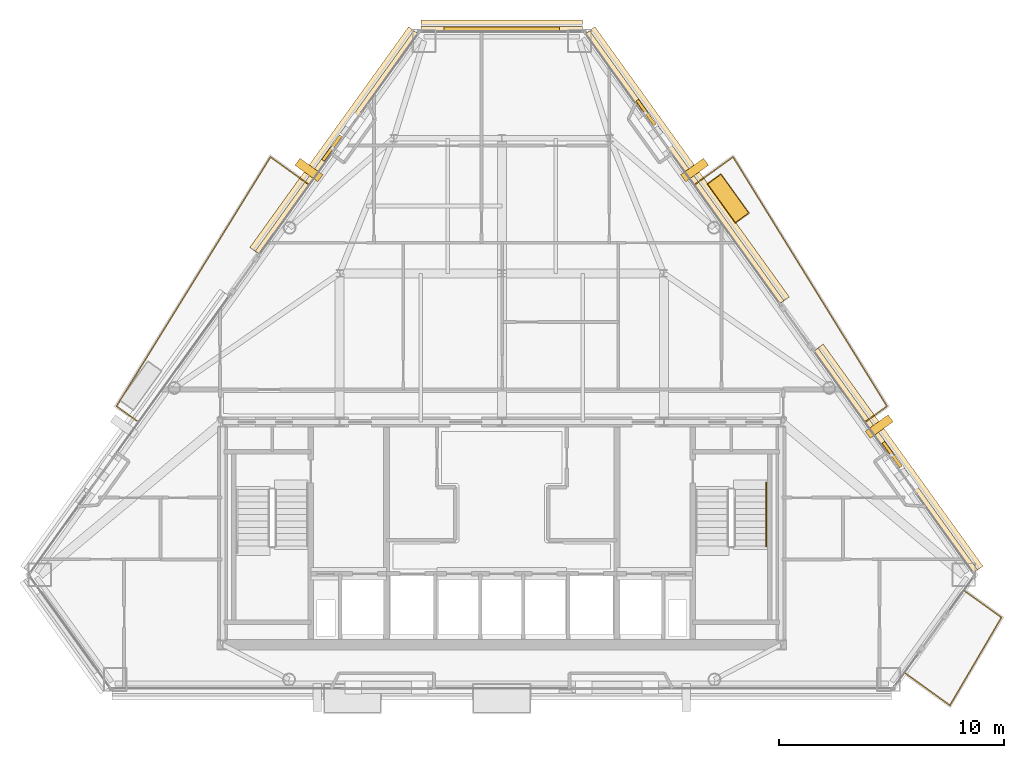
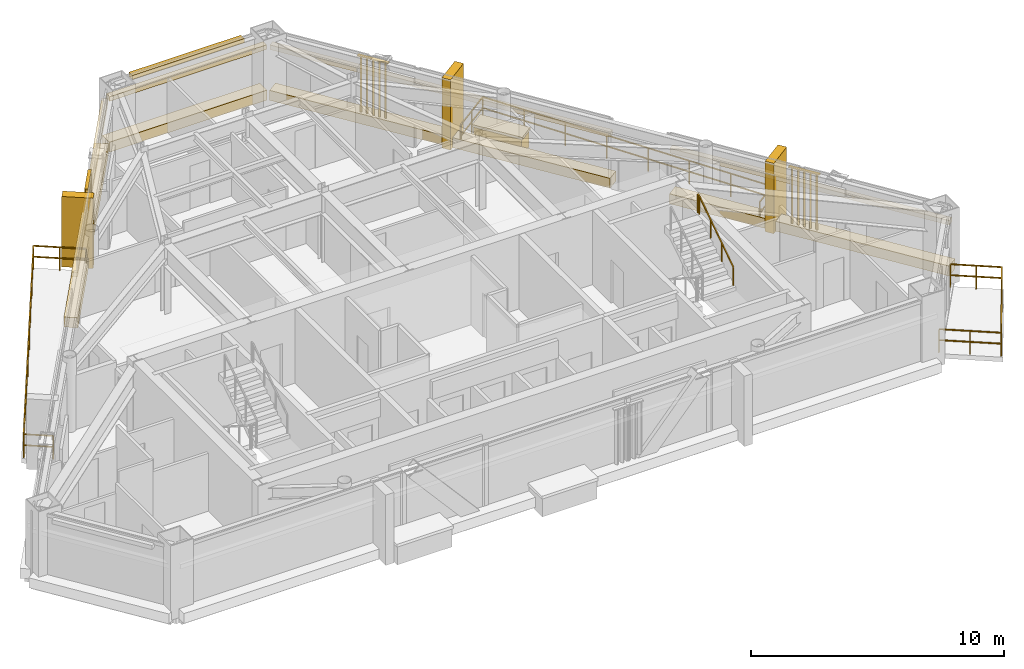
# One storey, part 12 of 12: 13 coverings, 4 railings, 4 shading devices.
"""IFC4 building model written with IfcOpenShell, lengths in metres."""

from ifc_helpers import new_model, si_unit, direction, frame, origin, origin_2d, place, context, subcontext, project, spatial, rectangle, extrude, source, transform, mapped, material, layer, layer_set, type_object, type_shapes, element, save


model = new_model("IFC4")

# Units and contexts
model_context = context("Model", 3, precision=1e-05, world=origin(), true_north=direction((0.0, 1.0)))
body_context = subcontext(model_context, "Body", "Model", "MODEL_VIEW")
ifc_project = project(units=[si_unit("LENGTHUNIT", "METRE"), si_unit("AREAUNIT", "SQUARE_METRE"), si_unit("VOLUMEUNIT", "CUBIC_METRE"), si_unit("PLANEANGLEUNIT", "RADIAN"), si_unit("MASSUNIT", "GRAM", prefix="KILO")], contexts=[model_context])

# Site, building, storey
site_placement = place(None, origin())
site = spatial("IfcSite", under=ifc_project, at=site_placement, CompositionType="ELEMENT")
building_placement = place(site_placement, origin())
building = spatial("IfcBuilding", under=site, at=building_placement, Name="Talgorran Terracotta Tower", CompositionType="ELEMENT")
storey_placement = place(building_placement, frame((0.0, 0.0, 192.89990234375)))
storey = spatial("IfcBuildingStorey", under=building, at=storey_placement, Name="L50", CompositionType="ELEMENT", Elevation=192.89990234375)

# Coverings
ifc_material_1 = material(Name="Kiln-Fired Terracotta Ochre Ceramic", Category="masonry")
ifc_layer_1 = layer(ifc_material_1, 0.179931640625, Name="COV_BAGUETTE_TERRACOTTA_SCREEN")
ifc_layer_set_1 = layer_set([ifc_layer_1], Name="Kiln-Fired Terracotta Ochre Ceramic")
covering_type_1 = type_object("IfcCoveringType", Name="COV_BAGUETTE_TERRACOTTA_SCREEN", PredefinedType="CLADDING", material=ifc_layer_set_1)
covering_1_placement = place(storey_placement, frame((17.490478515625, -5.9189453125, 2.41015625), z_axis=(0.0, 0.0, 1.0), x_axis=(-0.583980505394, 0.811767681864, 0.0)))
element("IfcCovering", 1, at=covering_1_placement, inside=storey, type_object=covering_type_1, Name="L50 Terracotta Baguette Solar Screen Assembly F40", PredefinedType="CLADDING", context=body_context, shape_type="SweptSolid", body=[
    extrude(rectangle(XDim=12.135009765625, YDim=0.260009765625, at=origin_2d()), origin(), (0.0, 0.0, 1.0), 0.219970703125),
])
covering_2_placement = place(storey_placement, frame((8.115478515625, 7.112548828125, 2.41015625), z_axis=(0.0, 0.0, 1.0), x_axis=(-0.583980505394, 0.811767681864, 0.0)))
element("IfcCovering", 2, at=covering_2_placement, inside=storey, type_object=covering_type_1, Name="L50 Terracotta Baguette Solar Screen Assembly F41", PredefinedType="CLADDING", context=body_context, shape_type="SweptSolid", body=[
    extrude(rectangle(XDim=14.771240234375, YDim=0.260009765625, at=origin_2d()), origin(), (0.0, 0.0, 1.0), 0.219970703125),
])
covering_3_placement = place(storey_placement, frame((0.0, 13.23876953125, 2.41015625), z_axis=(0.0, 0.0, 1.0), x_axis=(-1.0, 0.0, 0.0)))
element("IfcCovering", 3, at=covering_3_placement, inside=storey, type_object=covering_type_1, Name="L50 Terracotta Baguette Solar Screen Assembly F4", PredefinedType="CLADDING", context=body_context, shape_type="SweptSolid", body=[
    extrude(rectangle(XDim=7.17431640625, YDim=0.260009765625, at=origin_2d()), origin(), (0.0, 0.0, 1.0), 0.219970703125),
])
covering_4_placement = place(storey_placement, frame((-7.324951171875, 8.21142578125, 2.41015625), z_axis=(0.0, 0.0, 1.0), x_axis=(-0.583980505394, -0.811767681864, 0.0)))
element("IfcCovering", 4, at=covering_4_placement, inside=storey, type_object=covering_type_1, Name="L50 Terracotta Baguette Solar Screen Assembly F60", PredefinedType="CLADDING", context=body_context, shape_type="SweptSolid", body=[
    extrude(rectangle(XDim=12.0634765625, YDim=0.260009765625, at=origin_2d()), origin(), (0.0, 0.0, 1.0), 0.219970703125),
])
ifc_material_2 = material(Name="Honed Limestone and Terracotta Planter", Category="masonry")
ifc_layer_2 = layer(ifc_material_2, 0.1201171875, Name="COV_PLANTER_BOX")
ifc_layer_set_2 = layer_set([ifc_layer_2], Name="Honed Limestone and Terracotta Planter")
covering_type_2 = type_object("IfcCoveringType", Name="COV_PLANTER_BOX", PredefinedType="CLADDING", material=ifc_layer_set_2)
covering_5_placement = place(storey_placement, frame((10.05908203125, 5.7294921875, -0.02001953125), z_axis=(0.0, 0.0, 1.0), x_axis=(-0.583980505394, 0.811767681864, 0.0)))
element("IfcCovering", 5, at=covering_5_placement, inside=storey, type_object=covering_type_2, Name="L50 Staggered Balcony Planter Box BAL-NE", PredefinedType="CLADDING", context=body_context, shape_type="SweptSolid", body=[
    extrude(rectangle(XDim=2.10009765625, YDim=0.719970703125, at=origin_2d()), origin(), (0.0, 0.0, 1.0), 0.860107421875),
])
ifc_material_3 = material(Name="Kiln-Fired Terracotta Planter Rim", Category="masonry")
ifc_layer_3 = layer(ifc_material_3, 0.10009765625, Name="COV_PLANTER_RIM")
ifc_layer_set_3 = layer_set([ifc_layer_3], Name="Kiln-Fired Terracotta Planter Rim")
covering_type_3 = type_object("IfcCoveringType", Name="COV_PLANTER_RIM", PredefinedType="CLADDING", material=ifc_layer_set_3)
covering_6_placement = place(storey_placement, frame((10.05908203125, 5.7294921875, 0.800048828125), z_axis=(0.0, 0.0, 1.0), x_axis=(-0.583980505394, 0.811767681864, 0.0)))
element("IfcCovering", 6, at=covering_6_placement, inside=storey, type_object=covering_type_3, Name="L50 Balcony Planter Terracotta Rim BAL-NE", PredefinedType="CLADDING", context=body_context, shape_type="SweptSolid", body=[
    extrude(rectangle(XDim=2.179931640625, YDim=0.780029296875, at=origin_2d()), origin(), (0.0, 0.0, 1.0), 0.1201171875),
])
ifc_material_4 = material(Name="Honed Limestone Cladding", Category="masonry")
ifc_layer_4 = layer(ifc_material_4, 0.094970703125, Name="COV_PORTAL_LIME")
ifc_layer_set_4 = layer_set([ifc_layer_4], Name="Honed Limestone Cladding")
covering_type_4 = type_object("IfcCoveringType", Name="COV_PORTAL_LIME", PredefinedType="CLADDING", material=ifc_layer_set_4)
covering_7_placement = place(storey_placement, frame((17.60400390625, -5.837158203125, -0.039794921875), z_axis=(0.0, 0.0, 1.0), x_axis=(-0.583980505394, 0.811767681864, 0.0)))
element("IfcCovering", 7, at=covering_7_placement, inside=storey, type_object=covering_type_4, Name="L50 Striped Postmodern Portal Cladding Band F40", PredefinedType="CLADDING", context=body_context, shape_type="SweptSolid", body=[
    extrude(rectangle(XDim=12.155029296875, YDim=0.56005859375, at=origin_2d()), origin(), (0.0, 0.0, 1.0), 0.47998046875),
])
covering_8_placement = place(storey_placement, frame((8.229248046875, 7.1943359375, -0.039794921875), z_axis=(0.0, 0.0, 1.0), x_axis=(-0.583980505394, 0.811767681864, 0.0)))
element("IfcCovering", 8, at=covering_8_placement, inside=storey, type_object=covering_type_4, Name="L50 Striped Postmodern Portal Cladding Band F41", PredefinedType="CLADDING", context=body_context, shape_type="SweptSolid", body=[
    extrude(rectangle(XDim=14.791259765625, YDim=0.56005859375, at=origin_2d()), origin(), (0.0, 0.0, 1.0), 0.47998046875),
])
covering_9_placement = place(storey_placement, frame((0.0, 13.37890625, -0.039794921875), z_axis=(0.0, 0.0, 1.0), x_axis=(-1.0, 0.0, 0.0)))
element("IfcCovering", 9, at=covering_9_placement, inside=storey, type_object=covering_type_4, Name="L50 Striped Postmodern Portal Cladding Band F4", PredefinedType="CLADDING", context=body_context, shape_type="SweptSolid", body=[
    extrude(rectangle(XDim=7.194091796875, YDim=0.56005859375, at=origin_2d()), origin(), (0.0, 0.0, 1.0), 0.47998046875),
])
covering_10_placement = place(storey_placement, frame((-7.438720703125, 8.293212890625, -0.039794921875), z_axis=(0.0, 0.0, 1.0), x_axis=(-0.583980505394, -0.811767681864, 0.0)))
element("IfcCovering", 10, at=covering_10_placement, inside=storey, type_object=covering_type_4, Name="L50 Striped Postmodern Portal Cladding Band F60", PredefinedType="CLADDING", context=body_context, shape_type="SweptSolid", body=[
    extrude(rectangle(XDim=12.08349609375, YDim=0.56005859375, at=origin_2d()), origin(), (0.0, 0.0, 1.0), 0.47998046875),
])
covering_11_placement = place(storey_placement, frame((8.569091796875, 6.995849609375, -0.0498046875), z_axis=(0.0, 0.0, 1.0), x_axis=(-0.583980505394, 0.811767681864, 0.0)))
element("IfcCovering", 11, at=covering_11_placement, inside=storey, type_object=covering_type_4, Name="L50 White Striped Portal Fin F3-2", PredefinedType="CLADDING", context=body_context, shape_type="SweptSolid", body=[
    extrude(rectangle(XDim=0.3798828125, YDim=1.25, at=origin_2d()), origin(), (0.0, 0.0, 1.0), 3.39990234375),
])
ifc_material_5 = material(Name="Kiln-Fired Terracotta Cladding", Category="masonry")
ifc_layer_5 = layer(ifc_material_5, 0.090087890625, Name="COV_PORTAL_TERRA")
ifc_layer_set_5 = layer_set([ifc_layer_5], Name="Kiln-Fired Terracotta Cladding")
covering_type_5 = type_object("IfcCoveringType", Name="COV_PORTAL_TERRA", PredefinedType="CLADDING", material=ifc_layer_set_5)
for number, where, z_axis, x_axis, name in (
    (12, (16.768798828125, -4.402099609375, -0.0498046875), (0.0, 0.0, 1.0), (-0.583980505394, 0.811767681864, 0.0), "L50 Terracotta Striped Portal Fin F3-1"),
    (13, (-8.569091796875, 6.995849609375, -0.0498046875), (0.0, 0.0, 1.0), (-0.583980505394, -0.811767681864, 0.0), "L50 Terracotta Striped Portal Fin F5-1"),
):
    element("IfcCovering", number, at=place(storey_placement, frame(where, z_axis=z_axis, x_axis=x_axis)), inside=storey, type_object=covering_type_5, Name=name, PredefinedType="CLADDING", context=body_context, shape_type="SweptSolid", body=[
        extrude(rectangle(XDim=0.3798828125, YDim=1.25, at=origin_2d()), origin(), (0.0, 0.0, 1.0), 3.39990234375),
    ])

# Railings
ifc_material_6 = material(Name="Laminated Glass and Stainless Steel 316", Category="steel")
railing_type_1 = type_object("IfcRailingType", Name="RL_BALCONY_1150", PredefinedType="BALUSTRADE", material=ifc_material_6)
railing_1_placement = place(storey_placement, frame((16.15185546875, -4.1953125, 0.0)))
element("IfcRailing", 14, at=railing_1_placement, inside=storey, type_object=railing_type_1, Name="RL-L50-BAL-BAL-NE", PredefinedType="BALUSTRADE", context=body_context, shape_type="SweptSolid", body=[
    extrude(rectangle(XDim=0.048095703125, YDim=0.048095703125, at=origin_2d()), frame((0.0, 0.0, 1.1259765625), z_axis=(0.811783870257, 0.583958001907, 0.0), x_axis=(-0.583958001907, 0.811783870257, 0.0)), (0.0, 0.0, 1.0), 1.187255859375),
    extrude(rectangle(XDim=0.048095703125, YDim=0.048095703125, at=origin_2d()), frame((0.0, 0.0, 0.597900390625), z_axis=(0.811783870257, 0.583958001907, 0.0), x_axis=(-0.583958001907, 0.811783870257, 0.0)), (0.0, 0.0, 1.0), 1.187255859375),
    extrude(rectangle(XDim=0.048095703125, YDim=0.048095703125, at=origin_2d()), frame((0.9638671875, 0.693359375, 1.1259765625), z_axis=(-0.525452949923, 0.850822659205, 0.0), x_axis=(-0.850822659205, -0.525452949923, 0.0)), (0.0, 0.0, 1.0), 13.01708984375),
    extrude(rectangle(XDim=0.048095703125, YDim=0.048095703125, at=origin_2d()), frame((0.9638671875, 0.693359375, 0.597900390625), z_axis=(-0.525452949923, 0.850822659205, 0.0), x_axis=(-0.850822659205, -0.525452949923, 0.0)), (0.0, 0.0, 1.0), 13.01708984375),
    extrude(rectangle(XDim=0.048095703125, YDim=0.048095703125, at=origin_2d()), frame((-5.8759765625, 11.7685546875, 1.1259765625), z_axis=(-0.811728099699, -0.584035523028, 0.0), x_axis=(0.584035523028, -0.811728099699, 0.0)), (0.0, 0.0, 1.0), 2.1025390625),
    extrude(rectangle(XDim=0.048095703125, YDim=0.048095703125, at=origin_2d()), frame((-5.8759765625, 11.7685546875, 0.597900390625), z_axis=(-0.811728099699, -0.584035523028, 0.0), x_axis=(0.584035523028, -0.811728099699, 0.0)), (0.0, 0.0, 1.0), 2.1025390625),
    extrude(rectangle(XDim=0.0419921875, YDim=0.0419921875, at=origin_2d()), origin(), (0.0, 0.0, 1.0), 1.101806640625),
    extrude(rectangle(XDim=0.0419921875, YDim=0.0419921875, at=origin_2d()), frame((0.9638671875, 0.693359375, 0.0)), (0.0, 0.0, 1.0), 1.101806640625),
    extrude(rectangle(XDim=0.0419921875, YDim=0.0419921875, at=origin_2d()), frame((-0.01318359375, 2.275634765625, 0.0)), (0.0, 0.0, 1.0), 1.101806640625),
    extrude(rectangle(XDim=0.0419921875, YDim=0.0419921875, at=origin_2d()), frame((-0.990478515625, 3.857666015625, 0.0)), (0.0, 0.0, 1.0), 1.101806640625),
    extrude(rectangle(XDim=0.0419921875, YDim=0.0419921875, at=origin_2d()), frame((-1.967529296875, 5.43994140625, 0.0)), (0.0, 0.0, 1.0), 1.101806640625),
    extrude(rectangle(XDim=0.0419921875, YDim=0.0419921875, at=origin_2d()), frame((-2.944580078125, 7.02197265625, 0.0)), (0.0, 0.0, 1.0), 1.101806640625),
    extrude(rectangle(XDim=0.0419921875, YDim=0.0419921875, at=origin_2d()), frame((-3.921630859375, 8.604248046875, 0.0)), (0.0, 0.0, 1.0), 1.101806640625),
    extrude(rectangle(XDim=0.0419921875, YDim=0.0419921875, at=origin_2d()), frame((-4.89892578125, 10.186279296875, 0.0)), (0.0, 0.0, 1.0), 1.101806640625),
    extrude(rectangle(XDim=0.0419921875, YDim=0.0419921875, at=origin_2d()), frame((-5.8759765625, 11.7685546875, 0.0)), (0.0, 0.0, 1.0), 1.101806640625),
    extrude(rectangle(XDim=0.0419921875, YDim=0.0419921875, at=origin_2d()), frame((-6.7294921875, 11.154541015625, 0.0)), (0.0, 0.0, 1.0), 1.101806640625),
    extrude(rectangle(XDim=0.0419921875, YDim=0.0419921875, at=origin_2d()), frame((-7.582763671875, 10.54052734375, 0.0)), (0.0, 0.0, 1.0), 1.101806640625),
])
railing_2_placement = place(storey_placement, frame((-8.569091796875, 6.34521484375, 0.0)))
element("IfcRailing", 15, at=railing_2_placement, inside=storey, type_object=railing_type_1, Name="RL-L50-BAL-BAL-NW", PredefinedType="BALUSTRADE", context=body_context, shape_type="SweptSolid", body=[
    extrude(rectangle(XDim=0.048095703125, YDim=0.048095703125, at=origin_2d()), frame((0.0, 0.0, 1.1259765625), z_axis=(-0.811728099699, 0.584035523028, 0.0), x_axis=(-0.584035523028, -0.811728099699, 0.0)), (0.0, 0.0, 1.0), 2.1025390625),
    extrude(rectangle(XDim=0.048095703125, YDim=0.048095703125, at=origin_2d()), frame((0.0, 0.0, 0.597900390625), z_axis=(-0.811728099699, 0.584035523028, 0.0), x_axis=(-0.584035523028, -0.811728099699, 0.0)), (0.0, 0.0, 1.0), 2.1025390625),
    extrude(rectangle(XDim=0.048095703125, YDim=0.048095703125, at=origin_2d()), frame((-1.706787109375, 1.22802734375, 1.1259765625), z_axis=(-0.525452949923, -0.850822659205, 0.0), x_axis=(0.850822659205, -0.525452949923, 0.0)), (0.0, 0.0, 1.0), 13.01708984375),
    extrude(rectangle(XDim=0.048095703125, YDim=0.048095703125, at=origin_2d()), frame((-1.706787109375, 1.22802734375, 0.597900390625), z_axis=(-0.525452949923, -0.850822659205, 0.0), x_axis=(0.850822659205, -0.525452949923, 0.0)), (0.0, 0.0, 1.0), 13.01708984375),
    extrude(rectangle(XDim=0.048095703125, YDim=0.048095703125, at=origin_2d()), frame((-8.546630859375, -9.84716796875, 1.1259765625), z_axis=(0.811783870257, -0.583958001907, 0.0), x_axis=(0.583958001907, 0.811783870257, 0.0)), (0.0, 0.0, 1.0), 1.187255859375),
    extrude(rectangle(XDim=0.048095703125, YDim=0.048095703125, at=origin_2d()), frame((-8.546630859375, -9.84716796875, 0.597900390625), z_axis=(0.811783870257, -0.583958001907, 0.0), x_axis=(0.583958001907, 0.811783870257, 0.0)), (0.0, 0.0, 1.0), 1.187255859375),
    extrude(rectangle(XDim=0.0419921875, YDim=0.0419921875, at=origin_2d()), origin(), (0.0, 0.0, 1.0), 1.101806640625),
    extrude(rectangle(XDim=0.0419921875, YDim=0.0419921875, at=origin_2d()), frame((-0.853515625, 0.614013671875, 0.0)), (0.0, 0.0, 1.0), 1.101806640625),
    extrude(rectangle(XDim=0.0419921875, YDim=0.0419921875, at=origin_2d()), frame((-1.706787109375, 1.22802734375, 0.0)), (0.0, 0.0, 1.0), 1.101806640625),
    extrude(rectangle(XDim=0.0419921875, YDim=0.0419921875, at=origin_2d()), frame((-2.683837890625, -0.354248046875, 0.0)), (0.0, 0.0, 1.0), 1.101806640625),
    extrude(rectangle(XDim=0.0419921875, YDim=0.0419921875, at=origin_2d()), frame((-3.6611328125, -1.936279296875, 0.0)), (0.0, 0.0, 1.0), 1.101806640625),
    extrude(rectangle(XDim=0.0419921875, YDim=0.0419921875, at=origin_2d()), frame((-4.63818359375, -3.5185546875, 0.0)), (0.0, 0.0, 1.0), 1.101806640625),
    extrude(rectangle(XDim=0.0419921875, YDim=0.0419921875, at=origin_2d()), frame((-5.615234375, -5.1005859375, 0.0)), (0.0, 0.0, 1.0), 1.101806640625),
    extrude(rectangle(XDim=0.0419921875, YDim=0.0419921875, at=origin_2d()), frame((-6.59228515625, -6.682861328125, 0.0)), (0.0, 0.0, 1.0), 1.101806640625),
    extrude(rectangle(XDim=0.0419921875, YDim=0.0419921875, at=origin_2d()), frame((-7.569580078125, -8.264892578125, 0.0)), (0.0, 0.0, 1.0), 1.101806640625),
    extrude(rectangle(XDim=0.0419921875, YDim=0.0419921875, at=origin_2d()), frame((-8.546630859375, -9.84716796875, 0.0)), (0.0, 0.0, 1.0), 1.101806640625),
    extrude(rectangle(XDim=0.0419921875, YDim=0.0419921875, at=origin_2d()), frame((-7.582763671875, -10.54052734375, 0.0)), (0.0, 0.0, 1.0), 1.101806640625),
])
railing_3_placement = place(storey_placement, frame((17.908203125, -15.347900390625, 0.0)))
element("IfcRailing", 16, at=railing_3_placement, inside=storey, type_object=railing_type_1, Name="RL-L50-BAL-BAL-SE", PredefinedType="BALUSTRADE", context=body_context, shape_type="SweptSolid", body=[
    extrude(rectangle(XDim=0.048095703125, YDim=0.048095703125, at=origin_2d()), frame((0.0, 0.0, 1.1259765625), z_axis=(0.811811791006, -0.583919186175, 0.0), x_axis=(0.583919186175, 0.811811791006, 0.0)), (0.0, 0.0, 1.0), 2.46923828125),
    extrude(rectangle(XDim=0.048095703125, YDim=0.048095703125, at=origin_2d()), frame((0.0, 0.0, 0.597900390625), z_axis=(0.811811791006, -0.583919186175, 0.0), x_axis=(0.583919186175, 0.811811791006, 0.0)), (0.0, 0.0, 1.0), 2.46923828125),
    extrude(rectangle(XDim=0.048095703125, YDim=0.048095703125, at=origin_2d()), frame((2.004638671875, -1.44189453125, 1.1259765625), z_axis=(0.505633688842, 0.862748267288, 0.0), x_axis=(-0.862748267288, 0.505633688842, 0.0)), (0.0, 0.0, 1.0), 4.527099609375),
    extrude(rectangle(XDim=0.048095703125, YDim=0.048095703125, at=origin_2d()), frame((2.004638671875, -1.44189453125, 0.597900390625), z_axis=(0.505633688842, 0.862748267288, 0.0), x_axis=(-0.862748267288, 0.505633688842, 0.0)), (0.0, 0.0, 1.0), 4.527099609375),
    extrude(rectangle(XDim=0.048095703125, YDim=0.048095703125, at=origin_2d()), frame((4.293701171875, 2.4638671875, 1.1259765625), z_axis=(-0.811778599887, 0.583965328393, 0.0), x_axis=(-0.583965328393, -0.811778599887, 0.0)), (0.0, 0.0, 1.0), 2.046875),
    extrude(rectangle(XDim=0.048095703125, YDim=0.048095703125, at=origin_2d()), frame((4.293701171875, 2.4638671875, 0.597900390625), z_axis=(-0.811778599887, 0.583965328393, 0.0), x_axis=(-0.583965328393, -0.811778599887, 0.0)), (0.0, 0.0, 1.0), 2.046875),
    extrude(rectangle(XDim=0.0419921875, YDim=0.0419921875, at=origin_2d()), origin(), (0.0, 0.0, 1.0), 1.101806640625),
    extrude(rectangle(XDim=0.0419921875, YDim=0.0419921875, at=origin_2d()), frame((1.00244140625, -0.720947265625, 0.0)), (0.0, 0.0, 1.0), 1.101806640625),
    extrude(rectangle(XDim=0.0419921875, YDim=0.0419921875, at=origin_2d()), frame((2.004638671875, -1.44189453125, 0.0)), (0.0, 0.0, 1.0), 1.101806640625),
    extrude(rectangle(XDim=0.0419921875, YDim=0.0419921875, at=origin_2d()), frame((2.767578125, -0.139892578125, 0.0)), (0.0, 0.0, 1.0), 1.101806640625),
    extrude(rectangle(XDim=0.0419921875, YDim=0.0419921875, at=origin_2d()), frame((3.53076171875, 1.161865234375, 0.0)), (0.0, 0.0, 1.0), 1.101806640625),
    extrude(rectangle(XDim=0.0419921875, YDim=0.0419921875, at=origin_2d()), frame((4.293701171875, 2.4638671875, 0.0)), (0.0, 0.0, 1.0), 1.101806640625),
    extrude(rectangle(XDim=0.0419921875, YDim=0.0419921875, at=origin_2d()), frame((3.462890625, 3.0615234375, 0.0)), (0.0, 0.0, 1.0), 1.101806640625),
    extrude(rectangle(XDim=0.0419921875, YDim=0.0419921875, at=origin_2d()), frame((2.632080078125, 3.6591796875, 0.0)), (0.0, 0.0, 1.0), 1.101806640625),
])
ifc_material_7 = material(Name="Steel S355 (300PLUS)", Category="steel")
railing_type_2 = type_object("IfcRailingType", Name="RL_HANDRAIL_920", PredefinedType="HANDRAIL", material=ifc_material_7)
railing_4_placement = place(storey_placement, frame((11.75, -9.719970703125, 1.97998046875)))
element("IfcRailing", 17, at=railing_4_placement, inside=storey, type_object=railing_type_2, Name="L50 ST-02 stair handrail 2", PredefinedType="HANDRAIL", context=body_context, shape_type="SweptSolid", body=[
    extrude(rectangle(XDim=0.048095703125, YDim=0.048095703125, at=origin_2d()), frame((0.0, 0.0, 0.89599609375), z_axis=(0.0, 0.832038719335, 0.554717558338), x_axis=(-1.0, 0.0, 0.0)), (0.0, 0.0, 1.0), 3.244873046875),
    extrude(rectangle(XDim=0.048095703125, YDim=0.048095703125, at=origin_2d()), frame((0.0, 2.699951171875, 2.69580078125), z_axis=(0.0, 1.0, 0.0), x_axis=(-1.0, 0.0, 0.0)), (0.0, 0.0, 1.0), 0.1201171875),
    extrude(rectangle(XDim=0.0419921875, YDim=0.0419921875, at=origin_2d()), origin(), (0.0, 0.0, 1.0), 0.871826171875),
    extrude(rectangle(XDim=0.0419921875, YDim=0.0419921875, at=origin_2d()), frame((0.0, 0.89990234375, 0.60009765625)), (0.0, 0.0, 1.0), 0.871826171875),
    extrude(rectangle(XDim=0.0419921875, YDim=0.0419921875, at=origin_2d()), frame((0.0, 1.800048828125, 1.199951171875)), (0.0, 0.0, 1.0), 0.871826171875),
    extrude(rectangle(XDim=0.0419921875, YDim=0.0419921875, at=origin_2d()), frame((0.0, 2.699951171875, 1.800048828125)), (0.0, 0.0, 1.0), 0.871826171875),
    extrude(rectangle(XDim=0.0419921875, YDim=0.0419921875, at=origin_2d()), frame((0.0, 2.820068359375, 1.800048828125)), (0.0, 0.0, 1.0), 0.871826171875),
])

# Shading devices
ifc_material_8 = material(Name="Kiln-Fired Terracotta", Category="masonry")
ifc_layer_6 = layer(ifc_material_8, 0.139892578125, Name="SHD_BAGUETTE_TERRA")
ifc_layer_set_6 = layer_set([ifc_layer_6], Name="Kiln-Fired Terracotta")
shading_device_type_1 = type_object("IfcShadingDeviceType", Name="SHD_BAGUETTE_TERRA", PredefinedType="JALOUSIE", material=ifc_layer_set_6)
shared_shape_1 = source(origin(), body_context, "Body", "SweptSolid", [
    extrude(rectangle(XDim=1.35009765625, YDim=0.139892578125, at=origin_2d()), origin(), (0.0, 0.0, 1.0), 0.054931640625),
    extrude(rectangle(XDim=1.35009765625, YDim=0.139892578125, at=origin_2d()), frame((0.0, 0.0, 2.7451171875)), (0.0, 0.0, 1.0), 0.054931640625),
    extrude(rectangle(XDim=0.074951171875, YDim=0.139892578125, at=origin_2d()), frame((-0.53515625, 0.0, 0.054931640625), z_axis=(0.0, 0.0, 1.0), x_axis=(0.866025403784, 0.5, 0.0)), (0.0, 0.0, 1.0), 2.690185546875),
    extrude(rectangle(XDim=0.074951171875, YDim=0.139892578125, at=origin_2d()), frame((-0.267578125, 0.0, 0.054931640625), z_axis=(0.0, 0.0, 1.0), x_axis=(0.866025403784, 0.5, 0.0)), (0.0, 0.0, 1.0), 2.690185546875),
    extrude(rectangle(XDim=0.074951171875, YDim=0.139892578125, at=origin_2d()), frame((0.0, 0.0, 0.054931640625), z_axis=(0.0, 0.0, 1.0), x_axis=(0.866025403784, 0.5, 0.0)), (0.0, 0.0, 1.0), 2.690185546875),
    extrude(rectangle(XDim=0.074951171875, YDim=0.139892578125, at=origin_2d()), frame((0.267578125, 0.0, 0.054931640625), z_axis=(0.0, 0.0, 1.0), x_axis=(0.866025403784, 0.5, 0.0)), (0.0, 0.0, 1.0), 2.690185546875),
    extrude(rectangle(XDim=0.074951171875, YDim=0.139892578125, at=origin_2d()), frame((0.53515625, 0.0, 0.054931640625), z_axis=(0.0, 0.0, 1.0), x_axis=(0.866025403784, 0.5, 0.0)), (0.0, 0.0, 1.0), 2.690185546875),
])
type_shapes(shading_device_type_1, [shared_shape_1])
for number, where, z_axis, x_axis, name in (
    (18, (17.347900390625, -5.652099609375, 0.35009765625), (0.0, 0.0, 1.0), (-0.583980505394, 0.811767681864, 0.0), "BAG-L50-F40"),
    (19, (6.411865234375, 9.549072265625, 0.35009765625), (0.0, 0.0, 1.0), (-0.583980505394, 0.811767681864, 0.0), "BAG-L50-F41"),
    (20, (-7.548583984375, 7.96923828125, 0.35009765625), (0.0, 0.0, 1.0), (-0.583980505394, -0.811767681864, 0.0), "BAG-L50-F60"),
):
    element("IfcShadingDevice", number, at=place(storey_placement, frame(where, z_axis=z_axis, x_axis=x_axis)), inside=storey, type_object=shading_device_type_1, Name=name, PredefinedType="JALOUSIE", context=body_context, shape_type="MappedRepresentation", body=[
        mapped(shared_shape_1, transform((0.0, 0.0, 0.0), scale=1.0)),
    ])
ifc_layer_7 = layer(ifc_material_8, 0.280029296875, Name="SHD_SUNSHADE_TERRA")
ifc_layer_set_7 = layer_set([ifc_layer_7], Name="Kiln-Fired Terracotta")
shading_device_type_2 = type_object("IfcShadingDeviceType", Name="SHD_SUNSHADE_TERRA", PredefinedType="AWNING", material=ifc_layer_set_7)
shared_shape_2 = source(origin(), body_context, "Body", "SweptSolid", [
    extrude(rectangle(XDim=5.119873046875, YDim=0.280029296875, at=origin_2d()), origin(), (0.0, 0.0, 1.0), 0.199951171875),
])
type_shapes(shading_device_type_2, [shared_shape_2])
shading_device_placement = place(storey_placement, frame((0.0, 13.21875, 3.1103515625), z_axis=(0.0, 0.0, 1.0), x_axis=(-1.0, 0.0, 0.0)))
element("IfcShadingDevice", 21, at=shading_device_placement, inside=storey, type_object=shading_device_type_2, Name="SHD-BROW-L50-F4", PredefinedType="AWNING", context=body_context, shape_type="MappedRepresentation", body=[
    mapped(shared_shape_2, transform((0.0, 0.0, 0.0), scale=1.0)),
])

save(model, "model.ifc")
